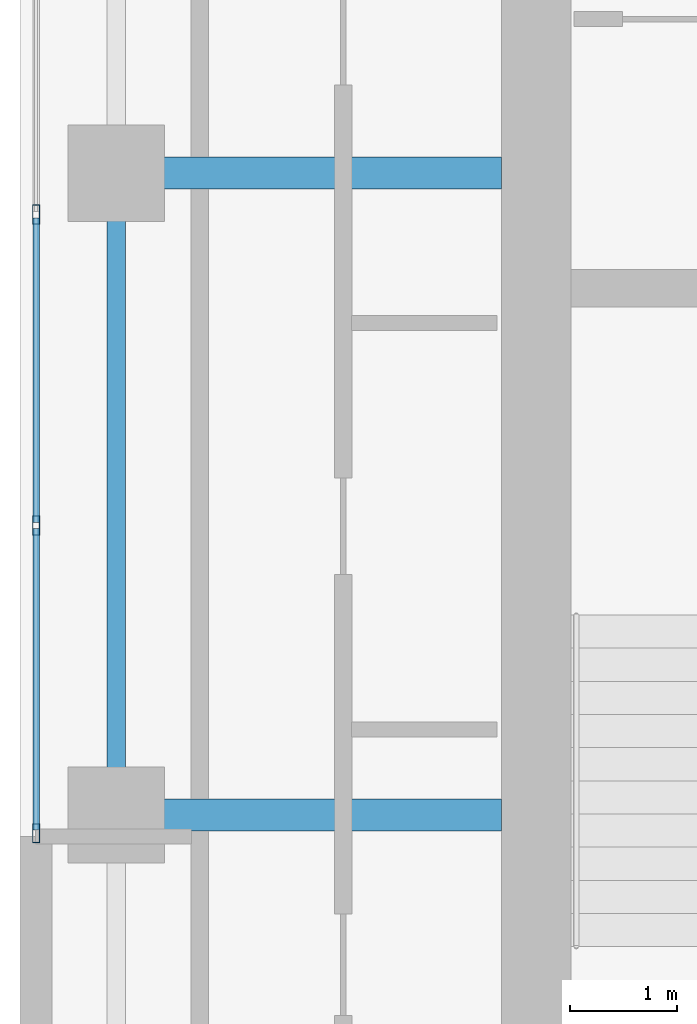
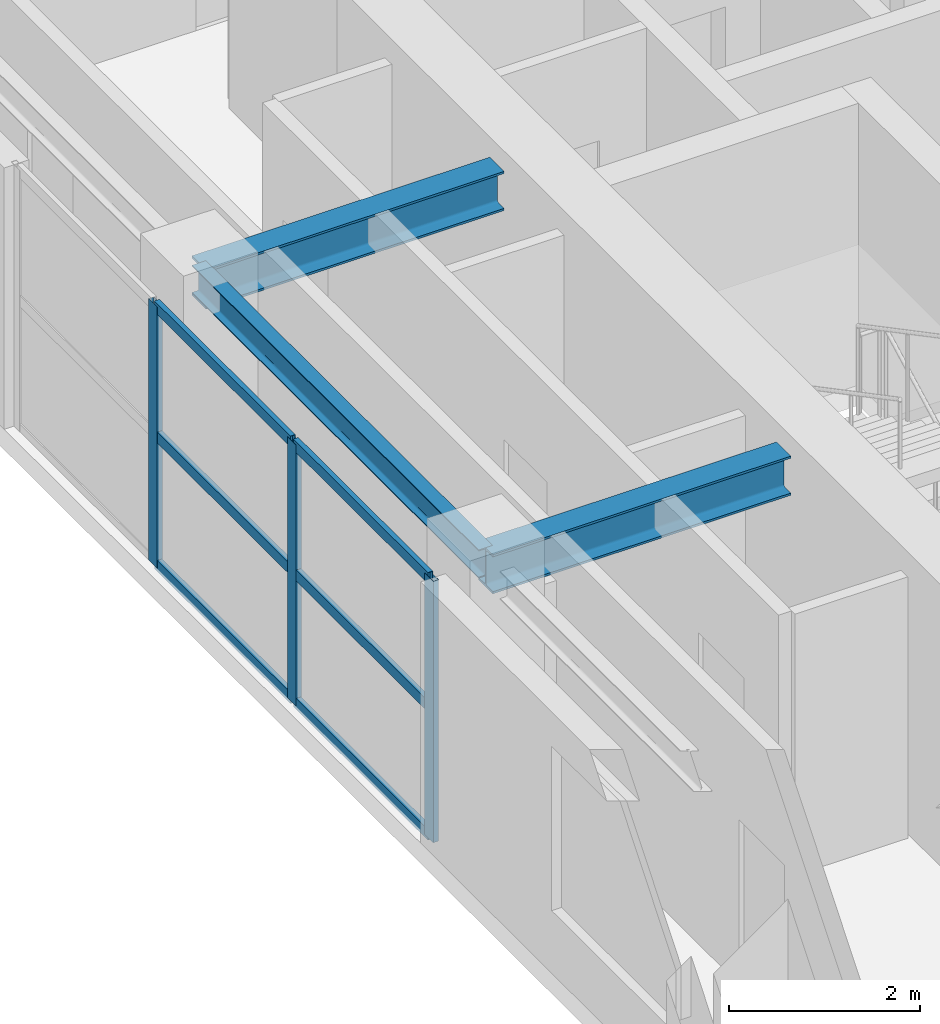
# One storey, part 5 of 21: 9 members, 3 beams, 1 element without a shape of its own.
"""IFC4 building model written with IfcOpenShell, lengths in metres."""

import ifcopenshell
import ifcopenshell.guid

model = None  # the IFC model being written
_history = None  # IfcOwnerHistory: only IFC2X3 demands one
_inside = {}  # id of a spatial element -> (the spatial element, [elements in it])
_under = {}  # id of a project, library or spatial element -> (it, [spatial elements below it])
_declared = {}  # id of a project -> (the project, [libraries it declares])
_typed = {}  # id of a type object -> (the type object, [elements of that type])
_made_of = {}  # id of a material, layer set ... -> (it, [elements and type objects made of it])


def new_model(schema):
    """Start an empty IFC model of exactly this schema.

    Asked for "IFC4X3", IfcOpenShell would pick the latest addendum, in which some entities
    have other attributes; the version numbers below select the first issue.
    IFC2X3 requires an IfcOwnerHistory on every rooted entity: one is made here for all.
    """
    global model, _history
    if schema == "IFC4X3":
        model = ifcopenshell.file(schema_version=(4, 3, 0, 0))
    else:
        model = ifcopenshell.file(schema=schema)
    _inside.clear()
    _under.clear()
    _declared.clear()
    _typed.clear()
    _made_of.clear()
    _history = None
    if model.schema == "IFC2X3":
        org = make("IfcOrganization", Name="unknown")
        user = make(
            "IfcPersonAndOrganization",
            ThePerson=make("IfcPerson", FamilyName="unknown"),
            TheOrganization=org,
        )
        app = make(
            "IfcApplication",
            ApplicationDeveloper=org,
            Version="unknown",
            ApplicationFullName="unknown",
            ApplicationIdentifier="unknown",
        )
        _history = make(
            "IfcOwnerHistory",
            OwningUser=user,
            OwningApplication=app,
            ChangeAction="ADDED",
            CreationDate=0,
        )
    return model


def make(cls, **values):
    """One entity of the class cls with the attributes given. An attribute that is None is left unset."""
    return model.create_entity(
        cls, **{name: value for name, value in values.items() if value is not None}
    )


def rooted(cls, **values):
    """An entity with a GlobalId (a new one), such as an element, a storey or a relation."""
    return make(cls, GlobalId=ifcopenshell.guid.new(), OwnerHistory=_history, **values)


def si_unit(unit_type, name, prefix=None):
    """IfcSIUnit, for example si_unit("LENGTHUNIT", "METRE", prefix="MILLI")."""
    return make("IfcSIUnit", UnitType=unit_type, Prefix=prefix, Name=name)


def assignment(units):
    """IfcUnitAssignment: the units of a project."""
    return None if units is None else make("IfcUnitAssignment", Units=units)


def point(xyz):
    """IfcCartesianPoint."""
    return None if xyz is None else make("IfcCartesianPoint", Coordinates=xyz)


def direction(xyz):
    """IfcDirection."""
    return None if xyz is None else make("IfcDirection", DirectionRatios=xyz)


def frame(location, z_axis=None, x_axis=None):
    """IfcAxis2Placement3D, a coordinate frame: its origin and axes. An axis left out is left unset."""
    return make(
        "IfcAxis2Placement3D",
        Location=point(location),
        Axis=direction(z_axis),
        RefDirection=direction(x_axis),
    )


def frame_2d(location, x_axis=None):
    """IfcAxis2Placement2D, a coordinate frame in the plane: its origin and x axis."""
    return make(
        "IfcAxis2Placement2D", Location=point(location), RefDirection=direction(x_axis)
    )


def origin():
    """The frame at (0, 0, 0) with its axes left unset."""
    return frame((0.0, 0.0, 0.0))


def origin_2d():
    """The frame at (0, 0) in the plane with its x axis left unset."""
    return frame_2d((0.0, 0.0))


def place(relative_to, where):
    """IfcLocalPlacement: puts the frame where relative to a parent placement (None: the world)."""
    return make(
        "IfcLocalPlacement", PlacementRelTo=relative_to, RelativePlacement=where
    )


def context(
    kind, dimensions, precision=None, world=None, true_north=None, identifier=None
):
    """IfcGeometricRepresentationContext, for example the 3D "Model" context."""
    return make(
        "IfcGeometricRepresentationContext",
        ContextIdentifier=identifier,
        ContextType=kind,
        CoordinateSpaceDimension=dimensions,
        Precision=precision,
        WorldCoordinateSystem=world,
        TrueNorth=true_north,
    )


def subcontext(parent, identifier, kind, view, scale=None):
    """IfcGeometricRepresentationSubContext, for example "Body" below "Model"."""
    return make(
        "IfcGeometricRepresentationSubContext",
        ContextIdentifier=identifier,
        ContextType=kind,
        ParentContext=parent,
        TargetScale=scale,
        TargetView=view,
    )


def project(units=None, contexts=None):
    """IfcProject with its units and contexts."""
    return rooted(
        "IfcProject",
        Name="project",
        RepresentationContexts=contexts,
        UnitsInContext=assignment(units),
    )


def spatial(cls, under=None, at=None, **own):
    """A site, building, storey or space (cls), placed at a placement, below another one or the project."""
    s = rooted(cls, ObjectPlacement=at, **own)
    if under is not None:
        _under.setdefault(under.id(), (under, []))[1].append(s)
    return s


def profile(cls, at=None, kind="AREA", **sizes):
    """A parametric profile (cls). Its sizes go by their IFC names, for example OverallWidth=200.0."""
    return make(cls, ProfileType=kind, Position=at, **sizes)


def hollow_rectangle(**sizes):
    """IfcRectangleHollowProfileDef."""
    return profile("IfcRectangleHollowProfileDef", **sizes)


def i_section(**sizes):
    """IfcIShapeProfileDef."""
    return profile("IfcIShapeProfileDef", **sizes)


def extrude(swept, where, along, depth):
    """IfcExtrudedAreaSolid: the profile swept, set in the frame where, extruded along a direction by depth."""
    return make(
        "IfcExtrudedAreaSolid",
        SweptArea=swept,
        Position=where,
        ExtrudedDirection=direction(along),
        Depth=depth,
    )


def shape(context_of_items, identifier, shape_type, items):
    """IfcShapeRepresentation: the items that make up one representation, for example the "Body"."""
    return make(
        "IfcShapeRepresentation",
        ContextOfItems=context_of_items,
        RepresentationIdentifier=identifier,
        RepresentationType=shape_type,
        Items=items,
    )


def source(mapping_origin, context_of_items, identifier, shape_type, items):
    """IfcRepresentationMap: a shape defined once, which mapped items show again and again."""
    return make(
        "IfcRepresentationMap",
        MappingOrigin=mapping_origin,
        MappedRepresentation=shape(context_of_items, identifier, shape_type, items),
    )


def transform(
    local_origin,
    x_axis=None,
    y_axis=None,
    z_axis=None,
    scale=None,
    scale2=None,
    scale3=None,
    uniform=True,
):
    """IfcCartesianTransformationOperator3D, or its non-uniform kind. x_axis, y_axis, z_axis: its Axis1, 2, 3."""
    if uniform:
        return make(
            "IfcCartesianTransformationOperator3D",
            Axis1=direction(x_axis),
            Axis2=direction(y_axis),
            LocalOrigin=point(local_origin),
            Scale=scale,
            Axis3=direction(z_axis),
        )
    return make(
        "IfcCartesianTransformationOperator3DnonUniform",
        Axis1=direction(x_axis),
        Axis2=direction(y_axis),
        LocalOrigin=point(local_origin),
        Scale=scale,
        Axis3=direction(z_axis),
        Scale2=scale2,
        Scale3=scale3,
    )


def mapped(mapping_source, mapping_target):
    """IfcMappedItem: shows the shape of a source again, moved by a transform."""
    return make(
        "IfcMappedItem", MappingSource=mapping_source, MappingTarget=mapping_target
    )


def material(Name=None, Category=None):
    """IfcMaterial."""
    return make("IfcMaterial", Name=Name, Category=Category)


def layer(
    of_material, thickness, ventilated=None, Name=None, Category=None, Priority=None
):
    """IfcMaterialLayer: one layer of a wall or slab, of a material (None: an air gap)."""
    return make(
        "IfcMaterialLayer",
        Material=of_material,
        LayerThickness=thickness,
        IsVentilated=ventilated,
        Name=Name,
        Category=Category,
        Priority=Priority,
    )


def layer_set(layers, Name=None):
    """IfcMaterialLayerSet."""
    return make("IfcMaterialLayerSet", MaterialLayers=layers, LayerSetName=Name)


def material_profile(
    of_material, cross_section, Name=None, Category=None, Priority=None
):
    """IfcMaterialProfile: a cross section and its material."""
    return make(
        "IfcMaterialProfile",
        Name=Name,
        Material=of_material,
        Profile=cross_section,
        Priority=Priority,
        Category=Category,
    )


def profile_set(profiles, Name=None, composite=None):
    """IfcMaterialProfileSet."""
    return make(
        "IfcMaterialProfileSet",
        Name=Name,
        MaterialProfiles=profiles,
        CompositeProfile=composite,
    )


def made_of(thing, what):
    """Note that an element or type object is made of a material, layer set ...; save() writes the relation."""
    if what is not None:
        _made_of.setdefault(what.id(), (what, []))[1].append(thing)
    return thing


def type_object(cls, material=None, **own):
    """A type object (cls), such as IfcWallType, which elements share."""
    return made_of(rooted(cls, **own), material)


def element(
    cls,
    number,
    at=None,
    inside=None,
    cuts=None,
    type_object=None,
    material=None,
    context=None,
    identifier="Body",
    shape_type=None,
    held_by="IfcProductDefinitionShape",
    body=None,
    shapes=None,
    **own,
):
    """One element of the class cls, such as IfcWall. Its Tag is "e" and its number.

    at: its placement. inside: the storey or other place that contains it. cuts: it is an
    opening in that element (IfcRelVoidsElement). A single representation is given by context,
    identifier, shape_type and body (its items); several are given by shapes. held_by: the class
    of the entity that holds the representations. save() writes the other relations.
    """
    e = rooted(cls, Tag="e%d" % number, ObjectPlacement=at, **own)
    if body is not None:
        shapes = [shape(context, identifier, shape_type, body)]
    if shapes is not None:
        e.Representation = make(held_by, Representations=shapes)
    if inside is not None:
        _inside.setdefault(inside.id(), (inside, []))[1].append(e)
    if cuts is not None:
        rooted(
            "IfcRelVoidsElement", RelatingBuildingElement=cuts, RelatedOpeningElement=e
        )
    if type_object is not None:
        _typed.setdefault(type_object.id(), (type_object, []))[1].append(e)
    return made_of(e, material)


def aggregate(whole, parts):
    """IfcRelAggregates: a whole, such as a stair, and the parts it consists of."""
    return rooted("IfcRelAggregates", RelatingObject=whole, RelatedObjects=parts)


def save(model, path):
    """Write the relations noted so far, then the file.

    IfcRelAggregates (storeys below a building ...), IfcRelContainedInSpatialStructure (elements
    in a storey), IfcRelDefinesByType, IfcRelAssociatesMaterial and IfcRelDeclares: one each for
    every whole, place, type object, material and project.
    """
    for whole, parts in _under.values():
        aggregate(whole, parts)
    for where, things in _inside.values():
        rooted(
            "IfcRelContainedInSpatialStructure",
            RelatedElements=things,
            RelatingStructure=where,
        )
    for kind, things in _typed.values():
        rooted("IfcRelDefinesByType", RelatedObjects=things, RelatingType=kind)
    for what, things in _made_of.values():
        rooted("IfcRelAssociatesMaterial", RelatedObjects=things, RelatingMaterial=what)
    for by, libraries in _declared.values():
        rooted("IfcRelDeclares", RelatingContext=by, RelatedDefinitions=libraries)
    model.write(path)


model = new_model("IFC4")

# Units and contexts
model_context = context("Model", 3, precision=1e-05, world=origin(), true_north=direction((0.0, 1.0)))
body_context = subcontext(model_context, "Body", "Model", "MODEL_VIEW")
ifc_project = project(units=[si_unit("LENGTHUNIT", "METRE"), si_unit("AREAUNIT", "SQUARE_METRE"), si_unit("VOLUMEUNIT", "CUBIC_METRE"), si_unit("PLANEANGLEUNIT", "RADIAN"), si_unit("MASSUNIT", "GRAM", prefix="KILO")], contexts=[model_context])

# Site, building, storey
site_placement = place(None, origin())
site = spatial("IfcSite", under=ifc_project, at=site_placement, CompositionType="ELEMENT")
building_placement = place(site_placement, origin())
building = spatial("IfcBuilding", under=site, at=building_placement, Name="Khoralis Quay Care Tower", CompositionType="ELEMENT")
storey_placement = place(building_placement, frame((0.0, 0.0, 206.10009765625)))
storey = spatial("IfcBuildingStorey", under=building, at=storey_placement, Name="L54", CompositionType="ELEMENT", Elevation=206.10009765625)

# Beams
ifc_material_1 = material(Name="Steel S355", Category="steel")
ifc_material_profile_1 = material_profile(ifc_material_1, i_section(OverallWidth=0.169921875, OverallDepth=0.360107421875, WebThickness=0.008056640625, FlangeThickness=0.0126953125, FilletRadius=0.01806640625, at=origin_2d()), Name="Steel S355")
ifc_profile_set_1 = profile_set([ifc_material_profile_1], Name="Steel S355")
beam_type_1 = type_object("IfcBeamType", Name="BM-IPE360", PredefinedType="SPANDREL", material=ifc_profile_set_1)
shared_shape_1 = source(origin(), body_context, "Body", "SweptSolid", [
    extrude(i_section(OverallWidth=0.169921875, OverallDepth=0.360107421875, WebThickness=0.008056640625, FlangeThickness=0.0126953125, FilletRadius=0.01806640625, at=origin_2d()), origin(), (0.0, 0.0, 1.0), 6.0),
])
beam_placement = place(storey_placement, frame((3.89990234375, 18.0, 3.159912109375), z_axis=(0.0, 1.0, 0.0), x_axis=(-1.0, 0.0, 0.0)))
element("IfcBeam", 1, at=beam_placement, inside=storey, type_object=beam_type_1, Name="BM-TSP-L54-07", PredefinedType="SPANDREL", context=body_context, shape_type="MappedRepresentation", body=[
    mapped(shared_shape_1, transform((0.0, 0.0, 0.0), scale=1.0)),
])
ifc_material_profile_2 = material_profile(ifc_material_1, i_section(OverallWidth=0.300048828125, OverallDepth=0.5, WebThickness=0.014404296875, FlangeThickness=0.028076171875, FilletRadius=0.027099609375, at=origin_2d()), Name="Steel S355")
ifc_profile_set_2 = profile_set([ifc_material_profile_2], Name="Steel S355")
beam_type_2 = type_object("IfcBeamType", Name="BM-HEB500", PredefinedType="BEAM", material=ifc_profile_set_2)
shared_shape_2 = source(origin(), body_context, "Body", "SweptSolid", [
    extrude(i_section(OverallWidth=0.300048828125, OverallDepth=0.5, WebThickness=0.014404296875, FlangeThickness=0.028076171875, FilletRadius=0.027099609375, at=origin_2d()), origin(), (0.0, 0.0, 1.0), 3.60205078125),
])
for number, where, z_axis, x_axis, name in (
    (2, (3.89990234375, 18.0, 3.08984375), (1.0, 0.0, 0.0), (0.0, 1.0, 0.0), "BM-TGXW-L54-180"),
    (3, (3.89990234375, 24.0, 3.08984375), (1.0, 0.0, 0.0), (0.0, 1.0, 0.0), "BM-TGXW-L54-240"),
):
    element("IfcBeam", number, at=place(storey_placement, frame(where, z_axis=z_axis, x_axis=x_axis)), inside=storey, type_object=beam_type_2, Name=name, PredefinedType="BEAM", context=body_context, shape_type="MappedRepresentation", body=[
        mapped(shared_shape_2, transform((0.0, 0.0, 0.0), scale=1.0)),
    ])

# Curtain wall, members
ifc_material_2 = material(Name="Pale anodised aluminium", Category="aluminium")
ifc_layer = layer(ifc_material_2, 0.159912109375)
ifc_layer_set = layer_set([ifc_layer], Name="Pale anodised aluminium")
curtain_wall_type = type_object("IfcCurtainWallType", Name="CW-SYS-Z3", PredefinedType="NOTDEFINED", material=ifc_layer_set)
curtain_wall_placement = place(storey_placement, origin())
curtain_wall = element("IfcCurtainWall", 4, at=curtain_wall_placement, inside=storey, type_object=curtain_wall_type, Name="L54 Unitised Curtain Wall CW-L54-P1-E7", PredefinedType="NOTDEFINED")
ifc_material_profile_3 = material_profile(ifc_material_2, hollow_rectangle(XDim=0.06494140625, YDim=0.179931640625, WallThickness=0.00390625, at=origin_2d()), Name="Pale anodised aluminium")
ifc_profile_set_3 = profile_set([ifc_material_profile_3], Name="Pale anodised aluminium")
member_type_1 = type_object("IfcMemberType", Name="CW-MUL-180", PredefinedType="MULLION", material=ifc_profile_set_3)
shared_shape_3 = source(origin(), body_context, "Body", "SweptSolid", [
    extrude(hollow_rectangle(XDim=0.06494140625, YDim=0.179931640625, WallThickness=0.00390625, at=origin_2d()), origin(), (0.0, 0.0, 1.0), 3.33984375),
])
member_1_placement = place(storey_placement, frame((3.14990234375, 23.61328125, 0.0), z_axis=(0.0, 0.0, 1.0), x_axis=(1.0, 0.0, 0.0)))
member_1 = element("IfcMember", 5, at=member_1_placement, type_object=member_type_1, Name="CW3 mullion 2", PredefinedType="MULLION", context=body_context, shape_type="MappedRepresentation", body=[
    mapped(shared_shape_3, transform((0.0, 0.0, 0.0), scale=1.0)),
])
member_2_placement = place(storey_placement, frame((3.14990234375, 20.706787109375, 0.0), z_axis=(0.0, 0.0, 1.0), x_axis=(1.0, 0.0, 0.0)))
member_2 = element("IfcMember", 6, at=member_2_placement, type_object=member_type_1, Name="CW3 mullion 3", PredefinedType="MULLION", context=body_context, shape_type="MappedRepresentation", body=[
    mapped(shared_shape_3, transform((0.0, 0.0, 0.0), scale=1.0)),
])
member_3_placement = place(storey_placement, frame((3.14990234375, 17.830078125, 0.0), z_axis=(0.0, 0.0, 1.0), x_axis=(1.0, 0.0, 0.0)))
member_3 = element("IfcMember", 7, at=member_3_placement, type_object=member_type_1, Name="CW3 mullion 4", PredefinedType="MULLION", context=body_context, shape_type="MappedRepresentation", body=[
    mapped(shared_shape_3, transform((0.0, 0.0, 0.0), scale=1.0)),
])
ifc_material_profile_4 = material_profile(ifc_material_2, hollow_rectangle(XDim=0.06005859375, YDim=0.139892578125, WallThickness=0.00390625, at=origin_2d()), Name="Pale anodised aluminium")
ifc_profile_set_4 = profile_set([ifc_material_profile_4], Name="Pale anodised aluminium")
member_type_2 = type_object("IfcMemberType", Name="CW-TRN-140", PredefinedType="USERDEFINED", material=ifc_profile_set_4)
shared_shape_4 = source(origin(), body_context, "Body", "SweptSolid", [
    extrude(hollow_rectangle(XDim=0.06005859375, YDim=0.139892578125, WallThickness=0.00390625, at=origin_2d()), origin(), (0.0, 0.0, 1.0), 2.816650390625),
])
member_4_placement = place(storey_placement, frame((3.14990234375, 20.6767578125, 0.02978515625), z_axis=(0.0, -1.0, 0.0), x_axis=(1.0, 0.0, 0.0)))
member_4 = element("IfcMember", 8, at=member_4_placement, type_object=member_type_2, Name="CW3 transom 3.1", ObjectType="TRANSOM", PredefinedType="USERDEFINED", context=body_context, shape_type="MappedRepresentation", body=[
    mapped(shared_shape_4, transform((0.0, 0.0, 0.0), scale=1.0)),
])
member_5_placement = place(storey_placement, frame((3.14990234375, 20.6767578125, 1.669921875), z_axis=(0.0, -1.0, 0.0), x_axis=(1.0, 0.0, 0.0)))
member_5 = element("IfcMember", 9, at=member_5_placement, type_object=member_type_2, Name="CW3 transom 3.2", ObjectType="TRANSOM", PredefinedType="USERDEFINED", context=body_context, shape_type="MappedRepresentation", body=[
    mapped(shared_shape_4, transform((0.0, 0.0, 0.0), scale=1.0)),
])
member_6_placement = place(storey_placement, frame((3.14990234375, 20.6767578125, 3.309814453125), z_axis=(0.0, -1.0, 0.0), x_axis=(1.0, 0.0, 0.0)))
member_6 = element("IfcMember", 10, at=member_6_placement, type_object=member_type_2, Name="CW3 transom 3.3", ObjectType="TRANSOM", PredefinedType="USERDEFINED", context=body_context, shape_type="MappedRepresentation", body=[
    mapped(shared_shape_4, transform((0.0, 0.0, 0.0), scale=1.0)),
])
shared_shape_5 = source(origin(), body_context, "Body", "SweptSolid", [
    extrude(hollow_rectangle(XDim=0.06005859375, YDim=0.139892578125, WallThickness=0.00390625, at=origin_2d()), origin(), (0.0, 0.0, 1.0), 2.8466796875),
])
member_7_placement = place(storey_placement, frame((3.14990234375, 23.583251953125, 0.02978515625), z_axis=(0.0, -1.0, 0.0), x_axis=(1.0, 0.0, 0.0)))
member_7 = element("IfcMember", 11, at=member_7_placement, type_object=member_type_2, Name="CW3 transom 2.1", ObjectType="TRANSOM", PredefinedType="USERDEFINED", context=body_context, shape_type="MappedRepresentation", body=[
    mapped(shared_shape_5, transform((0.0, 0.0, 0.0), scale=1.0)),
])
member_8_placement = place(storey_placement, frame((3.14990234375, 23.583251953125, 1.669921875), z_axis=(0.0, -1.0, 0.0), x_axis=(1.0, 0.0, 0.0)))
member_8 = element("IfcMember", 12, at=member_8_placement, type_object=member_type_2, Name="CW3 transom 2.2", ObjectType="TRANSOM", PredefinedType="USERDEFINED", context=body_context, shape_type="MappedRepresentation", body=[
    mapped(shared_shape_5, transform((0.0, 0.0, 0.0), scale=1.0)),
])
member_9_placement = place(storey_placement, frame((3.14990234375, 23.583251953125, 3.309814453125), z_axis=(0.0, -1.0, 0.0), x_axis=(1.0, 0.0, 0.0)))
member_9 = element("IfcMember", 13, at=member_9_placement, type_object=member_type_2, Name="CW3 transom 2.3", ObjectType="TRANSOM", PredefinedType="USERDEFINED", context=body_context, shape_type="MappedRepresentation", body=[
    mapped(shared_shape_5, transform((0.0, 0.0, 0.0), scale=1.0)),
])
aggregate(curtain_wall, [member_1, member_2, member_3, member_7, member_8, member_9, member_4, member_5, member_6])

save(model, "model.ifc")
